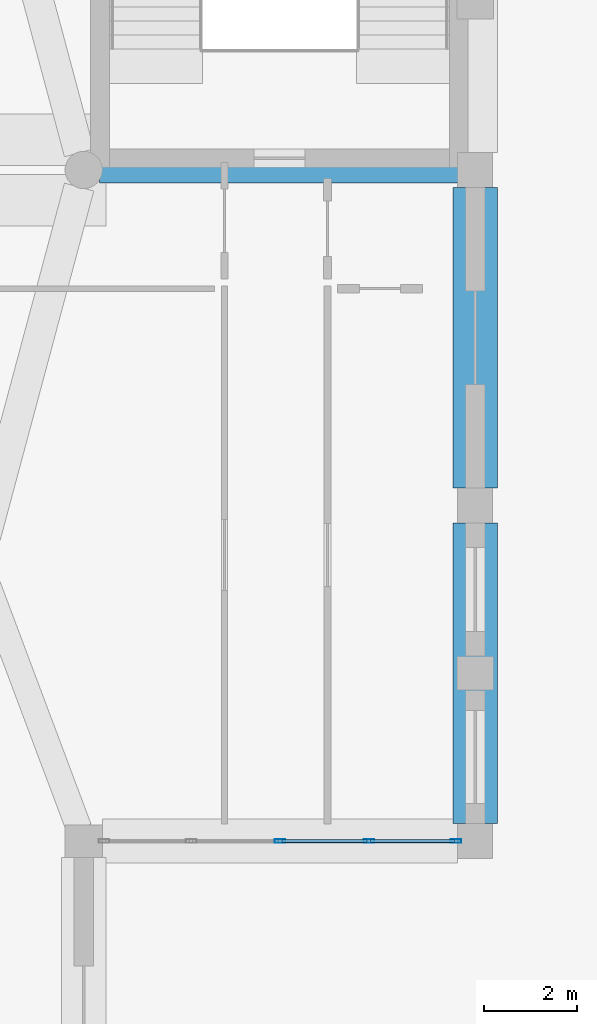
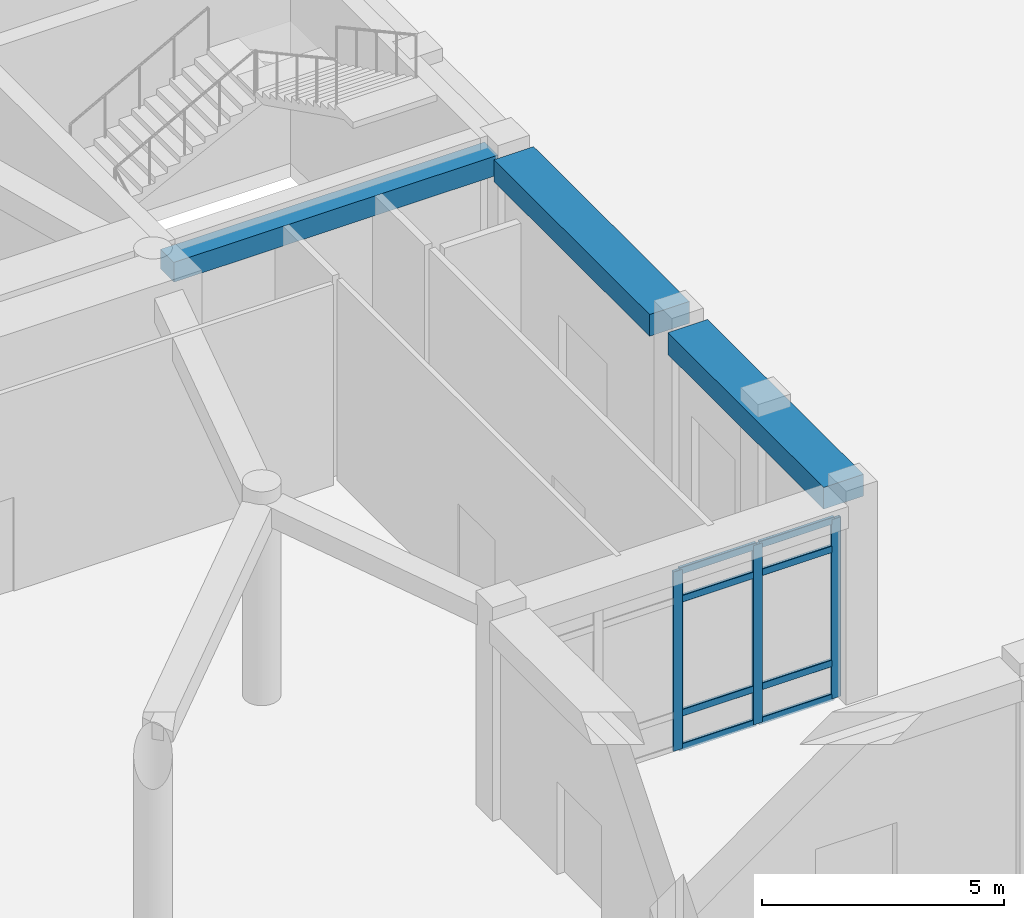
# One storey, part 27 of 84: 11 members, 3 beams, 1 element without a shape of its own.
"""IFC4 building model written with IfcOpenShell, lengths in metres."""

from ifc_helpers import new_model, si_unit, derived_unit, direction, frame, origin, origin_2d, place, context, subcontext, project, spatial, rectangle, hollow_rectangle, extrude, material, material_profile, profile_set, type_object, element, aggregate, save


model = new_model("IFC4")

# Units and contexts
model_context = context("Model", 3, precision=1e-05, world=origin(), true_north=direction((0.0, 1.0)))
body_context = subcontext(model_context, "Body", "Model", "MODEL_VIEW")
ifc_project = project(units=[si_unit("LENGTHUNIT", "METRE"), si_unit("AREAUNIT", "SQUARE_METRE"), si_unit("VOLUMEUNIT", "CUBIC_METRE"), si_unit("PLANEANGLEUNIT", "RADIAN"), si_unit("MASSUNIT", "GRAM", prefix="KILO"), derived_unit("THERMALTRANSMITTANCEUNIT", [(si_unit("POWERUNIT", "WATT"), 1), (si_unit("LENGTHUNIT", "METRE"), -2), (si_unit("THERMODYNAMICTEMPERATUREUNIT", "KELVIN"), -1)])], contexts=[model_context])

# Site, building, storey
site_placement = place(None, origin())
site = spatial("IfcSite", under=ifc_project, at=site_placement, CompositionType="ELEMENT")
building_placement = place(site_placement, origin())
building = spatial("IfcBuilding", under=site, at=building_placement, Name="Veybourne Emporium", CompositionType="ELEMENT")
storey_placement = place(building_placement, origin())
storey = spatial("IfcBuildingStorey", under=building, at=storey_placement, Name="L00", CompositionType="ELEMENT", Elevation=0.0)

# Curtain wall, members
ifc_material_1 = material(Name="Patinated Architectural Bronze", Category="bronze")
curtain_wall_type = type_object("IfcCurtainWallType", Name="CWSystem_CWS-06", PredefinedType="NOTDEFINED", material=ifc_material_1)
curtain_wall_placement = place(storey_placement, origin())
curtain_wall = element("IfcCurtainWall", 1, at=curtain_wall_placement, inside=storey, type_object=curtain_wall_type, Name="L00 bronze glazed curtain wall CWS-06 (042)", PredefinedType="NOTDEFINED")
ifc_material_profile_1 = material_profile(ifc_material_1, hollow_rectangle(XDim=0.074951171875, YDim=0.22998046875, WallThickness=0.0048828125, InnerFilletRadius=0.007568359375, OuterFilletRadius=0.012451171875, at=origin_2d()), Name="CWM 75x230x5")
ifc_profile_set_1 = profile_set([ifc_material_profile_1], Name="Patinated Architectural Bronze")
member_type_1 = type_object("IfcMemberType", Name="CWMullion_CW-M2", PredefinedType="MULLION", material=ifc_profile_set_1)
member_1_placement = place(storey_placement, frame((100.387451171875, 36.0, 0.0), z_axis=(0.0, 0.0, 1.0), x_axis=(0.0, -1.0, 0.0)))
member_1 = element("IfcMember", 2, at=member_1_placement, type_object=member_type_1, Name="CWS-06 mullion 1", PredefinedType="MULLION", context=body_context, shape_type="SweptSolid", body=[
    extrude(hollow_rectangle(XDim=0.074951171875, YDim=0.22998046875, WallThickness=0.0048828125, InnerFilletRadius=0.007568359375, OuterFilletRadius=0.012451171875, at=origin_2d()), origin(), (0.0, 0.0, 1.0), 4.530029296875),
])
member_2_placement = place(storey_placement, frame((98.518798828125, 36.0, 0.0), z_axis=(0.0, 0.0, 1.0), x_axis=(0.0, -1.0, 0.0)))
member_2 = element("IfcMember", 3, at=member_2_placement, type_object=member_type_1, Name="CWS-06 mullion 2", PredefinedType="MULLION", context=body_context, shape_type="SweptSolid", body=[
    extrude(hollow_rectangle(XDim=0.074951171875, YDim=0.22998046875, WallThickness=0.0048828125, InnerFilletRadius=0.007568359375, OuterFilletRadius=0.012451171875, at=origin_2d()), origin(), (0.0, 0.0, 1.0), 4.530029296875),
])
member_3_placement = place(storey_placement, frame((96.612548828125, 36.0, 0.0), z_axis=(0.0, 0.0, 1.0), x_axis=(0.0, -1.0, 0.0)))
member_3 = element("IfcMember", 4, at=member_3_placement, type_object=member_type_1, Name="CWS-06 mullion 3", PredefinedType="MULLION", context=body_context, shape_type="SweptSolid", body=[
    extrude(hollow_rectangle(XDim=0.074951171875, YDim=0.22998046875, WallThickness=0.0048828125, InnerFilletRadius=0.007568359375, OuterFilletRadius=0.012451171875, at=origin_2d()), origin(), (0.0, 0.0, 1.0), 4.530029296875),
])
ifc_material_profile_2 = material_profile(ifc_material_1, hollow_rectangle(XDim=0.074951171875, YDim=0.179931640625, WallThickness=0.0048828125, InnerFilletRadius=0.007568359375, OuterFilletRadius=0.012451171875, at=origin_2d()), Name="CWT 75x180x5")
ifc_profile_set_2 = profile_set([ifc_material_profile_2], Name="Patinated Architectural Bronze")
member_type_2 = type_object("IfcMemberType", Name="CWTransom_CW-T2", PredefinedType="NOTDEFINED", material=ifc_profile_set_2)
member_4_placement = place(storey_placement, frame((100.35009765625, 36.0, 0.03759765625), z_axis=(-1.0, 0.0, 0.0), x_axis=(0.0, -1.0, 0.0)))
member_4 = element("IfcMember", 5, at=member_4_placement, type_object=member_type_2, Name="CWS-06 transom 1.1", ObjectType="TRANSOM", PredefinedType="USERDEFINED", context=body_context, shape_type="SweptSolid", body=[
    extrude(hollow_rectangle(XDim=0.074951171875, YDim=0.179931640625, WallThickness=0.0048828125, InnerFilletRadius=0.007568359375, OuterFilletRadius=0.012451171875, at=origin_2d()), origin(), (0.0, 0.0, 1.0), 1.7939453125),
])
member_5_placement = place(storey_placement, frame((100.35009765625, 36.0, 0.89990234375), z_axis=(-1.0, 0.0, 0.0), x_axis=(0.0, -1.0, 0.0)))
member_5 = element("IfcMember", 6, at=member_5_placement, type_object=member_type_2, Name="CWS-06 transom 1.2", ObjectType="TRANSOM", PredefinedType="USERDEFINED", context=body_context, shape_type="SweptSolid", body=[
    extrude(hollow_rectangle(XDim=0.074951171875, YDim=0.179931640625, WallThickness=0.0048828125, InnerFilletRadius=0.007568359375, OuterFilletRadius=0.012451171875, at=origin_2d()), origin(), (0.0, 0.0, 1.0), 1.7939453125),
])
member_6_placement = place(storey_placement, frame((100.35009765625, 36.0, 3.780029296875), z_axis=(-1.0, 0.0, 0.0), x_axis=(0.0, -1.0, 0.0)))
member_6 = element("IfcMember", 7, at=member_6_placement, type_object=member_type_2, Name="CWS-06 transom 1.3", ObjectType="TRANSOM", PredefinedType="USERDEFINED", context=body_context, shape_type="SweptSolid", body=[
    extrude(hollow_rectangle(XDim=0.074951171875, YDim=0.179931640625, WallThickness=0.0048828125, InnerFilletRadius=0.007568359375, OuterFilletRadius=0.012451171875, at=origin_2d()), origin(), (0.0, 0.0, 1.0), 1.7939453125),
])
member_7_placement = place(storey_placement, frame((100.35009765625, 36.0, 4.492431640625), z_axis=(-1.0, 0.0, 0.0), x_axis=(0.0, -1.0, 0.0)))
member_7 = element("IfcMember", 8, at=member_7_placement, type_object=member_type_2, Name="CWS-06 transom 1.4", ObjectType="TRANSOM", PredefinedType="USERDEFINED", context=body_context, shape_type="SweptSolid", body=[
    extrude(hollow_rectangle(XDim=0.074951171875, YDim=0.179931640625, WallThickness=0.0048828125, InnerFilletRadius=0.007568359375, OuterFilletRadius=0.012451171875, at=origin_2d()), origin(), (0.0, 0.0, 1.0), 1.7939453125),
])
member_8_placement = place(storey_placement, frame((98.481201171875, 36.0, 0.03759765625), z_axis=(-1.0, 0.0, 0.0), x_axis=(0.0, -1.0, 0.0)))
member_8 = element("IfcMember", 9, at=member_8_placement, type_object=member_type_2, Name="CWS-06 transom 2.1", ObjectType="TRANSOM", PredefinedType="USERDEFINED", context=body_context, shape_type="SweptSolid", body=[
    extrude(hollow_rectangle(XDim=0.074951171875, YDim=0.179931640625, WallThickness=0.0048828125, InnerFilletRadius=0.007568359375, OuterFilletRadius=0.012451171875, at=origin_2d()), origin(), (0.0, 0.0, 1.0), 1.831298828125),
])
member_9_placement = place(storey_placement, frame((98.481201171875, 36.0, 0.89990234375), z_axis=(-1.0, 0.0, 0.0), x_axis=(0.0, -1.0, 0.0)))
member_9 = element("IfcMember", 10, at=member_9_placement, type_object=member_type_2, Name="CWS-06 transom 2.2", ObjectType="TRANSOM", PredefinedType="USERDEFINED", context=body_context, shape_type="SweptSolid", body=[
    extrude(hollow_rectangle(XDim=0.074951171875, YDim=0.179931640625, WallThickness=0.0048828125, InnerFilletRadius=0.007568359375, OuterFilletRadius=0.012451171875, at=origin_2d()), origin(), (0.0, 0.0, 1.0), 1.831298828125),
])
member_10_placement = place(storey_placement, frame((98.481201171875, 36.0, 3.780029296875), z_axis=(-1.0, 0.0, 0.0), x_axis=(0.0, -1.0, 0.0)))
member_10 = element("IfcMember", 11, at=member_10_placement, type_object=member_type_2, Name="CWS-06 transom 2.3", ObjectType="TRANSOM", PredefinedType="USERDEFINED", context=body_context, shape_type="SweptSolid", body=[
    extrude(hollow_rectangle(XDim=0.074951171875, YDim=0.179931640625, WallThickness=0.0048828125, InnerFilletRadius=0.007568359375, OuterFilletRadius=0.012451171875, at=origin_2d()), origin(), (0.0, 0.0, 1.0), 1.831298828125),
])
member_11_placement = place(storey_placement, frame((98.481201171875, 36.0, 4.492431640625), z_axis=(-1.0, 0.0, 0.0), x_axis=(0.0, -1.0, 0.0)))
member_11 = element("IfcMember", 12, at=member_11_placement, type_object=member_type_2, Name="CWS-06 transom 2.4", ObjectType="TRANSOM", PredefinedType="USERDEFINED", context=body_context, shape_type="SweptSolid", body=[
    extrude(hollow_rectangle(XDim=0.074951171875, YDim=0.179931640625, WallThickness=0.0048828125, InnerFilletRadius=0.007568359375, OuterFilletRadius=0.012451171875, at=origin_2d()), origin(), (0.0, 0.0, 1.0), 1.831298828125),
])
aggregate(curtain_wall, [member_1, member_2, member_3, member_4, member_5, member_6, member_7, member_8, member_9, member_10, member_11])

# Beams
ifc_material_2 = material(Name="Concrete C32/40", Category="concrete")
ifc_material_profile_3 = material_profile(ifc_material_2, rectangle(XDim=0.949951171875, YDim=0.550048828125, at=origin_2d()), Name="RC 950x550")
ifc_profile_set_3 = profile_set([ifc_material_profile_3], Name="Concrete C32/40")
beam_type_1 = type_object("IfcBeamType", Name="RCBeam_EB-01", PredefinedType="SPANDREL", material=ifc_profile_set_3)
for number, where, z_axis, x_axis, name in (
    (13, (100.800048828125, 36.375, 4.804931640625), (0.0, 1.0, 0.0), (-1.0, 0.0, 0.0), "L00 Y-grid beam EB-01 (12,5)"),
    (14, (100.800048828125, 43.574951171875, 4.804931640625), (0.0, 1.0, 0.0), (-1.0, 0.0, 0.0), "L00 Y-grid beam EB-01 (12,6)"),
):
    element("IfcBeam", number, at=place(storey_placement, frame(where, z_axis=z_axis, x_axis=x_axis)), inside=storey, type_object=beam_type_1, Name=name, PredefinedType="SPANDREL", context=body_context, shape_type="SweptSolid", body=[
        extrude(rectangle(XDim=0.949951171875, YDim=0.550048828125, at=origin_2d()), origin(), (0.0, 0.0, 1.0), 6.449951171875),
    ])
ifc_material_profile_4 = material_profile(ifc_material_2, rectangle(XDim=0.550048828125, YDim=0.5, at=origin_2d()), Name="RC 550x500")
ifc_profile_set_4 = profile_set([ifc_material_profile_4], Name="Concrete C32/40")
beam_type_2 = type_object("IfcBeamType", Name="RCBeam_TB-01", PredefinedType="BEAM", material=ifc_profile_set_4)
beam_placement = place(storey_placement, frame((92.739990234375, 50.39990234375, 4.830078125), z_axis=(1.0, 0.0, 0.0), x_axis=(0.0, 1.0, 0.0)))
element("IfcBeam", 15, at=beam_placement, inside=storey, type_object=beam_type_2, Name="Atrium radial tie beam L00-01", PredefinedType="BEAM", context=body_context, shape_type="SweptSolid", body=[
    extrude(rectangle(XDim=0.550048828125, YDim=0.5, at=origin_2d()), origin(), (0.0, 0.0, 1.0), 7.7451171875),
])

save(model, "model.ifc")
